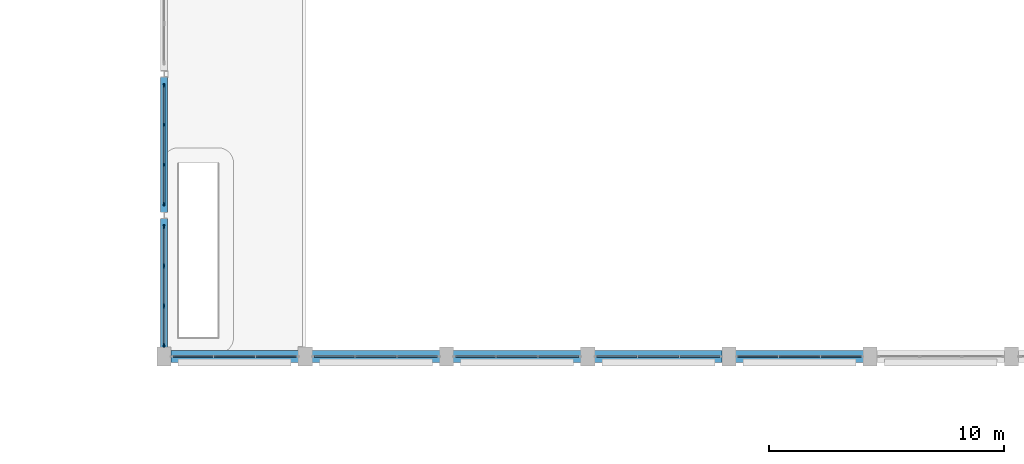
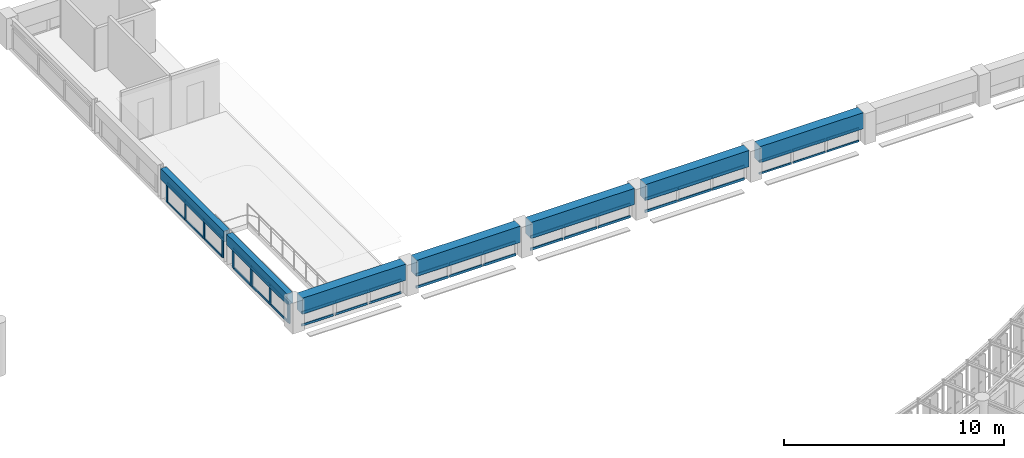
# One storey, part 34 of 137: 50 members, 7 beams, 7 elements without a shape of their own.
"""IFC4 building model written with IfcOpenShell, lengths in metres."""

from ifc_helpers import new_model, si_unit, direction, frame, origin, origin_2d, place, context, subcontext, project, spatial, rectangle, extrude, material, layer, layer_set, material_profile, profile_set, type_object, element, aggregate, save


model = new_model("IFC4")

# Units and contexts
model_context = context("Model", 3, precision=1e-05, world=origin(), true_north=direction((0.0, 1.0)))
body_context = subcontext(model_context, "Body", "Model", "MODEL_VIEW")
ifc_project = project(units=[si_unit("LENGTHUNIT", "METRE"), si_unit("AREAUNIT", "SQUARE_METRE"), si_unit("VOLUMEUNIT", "CUBIC_METRE"), si_unit("PLANEANGLEUNIT", "RADIAN"), si_unit("MASSUNIT", "GRAM", prefix="KILO"), si_unit("POWERUNIT", "WATT"), si_unit("THERMODYNAMICTEMPERATUREUNIT", "KELVIN")], contexts=[model_context])

# Site, building, storey
site_placement = place(None, origin())
site = spatial("IfcSite", under=ifc_project, at=site_placement, CompositionType="ELEMENT")
building_placement = place(site_placement, origin())
building = spatial("IfcBuilding", under=site, at=building_placement, Name="Ruvembo Vaulted Housing Court", CompositionType="ELEMENT")
storey_placement = place(building_placement, frame((0.0, 0.0, 4.5)))
storey = spatial("IfcBuildingStorey", under=building, at=storey_placement, Name="L01", CompositionType="ELEMENT", Elevation=4.5)

# Beams
ifc_material_1 = material(Name="Concrete C35/45", Category="concrete")
ifc_material_profile_1 = material_profile(ifc_material_1, rectangle(XDim=0.300048828125, YDim=0.60009765625, at=origin_2d()), Name="RC 300x600")
ifc_profile_set_1 = profile_set([ifc_material_profile_1], Name="Concrete C35/45")
beam_type_1 = type_object("IfcBeamType", Name="BM-RC-300x600", PredefinedType="BEAM", material=ifc_profile_set_1)
beam_1_placement = place(storey_placement, frame((66.0, 42.385009765625, 1.39990234375), z_axis=(0.0, 1.0, 0.0), x_axis=(-1.0, 0.0, 0.0)))
element("IfcBeam", 1, at=beam_1_placement, inside=storey, type_object=beam_type_1, Name="L01 Grid Beam Y #1358", PredefinedType="BEAM", context=body_context, shape_type="SweptSolid", body=[
    extrude(rectangle(XDim=0.300048828125, YDim=0.60009765625, at=origin_2d()), origin(), (0.0, 0.0, 1.0), 5.489990234375),
])
beam_2_placement = place(storey_placement, frame((66.0, 48.125, 1.39990234375), z_axis=(0.0, 1.0, 0.0), x_axis=(-1.0, 0.0, 0.0)))
element("IfcBeam", 2, at=beam_2_placement, inside=storey, type_object=beam_type_1, Name="L01 Grid Beam Y #1359", PredefinedType="BEAM", context=body_context, shape_type="SweptSolid", body=[
    extrude(rectangle(XDim=0.300048828125, YDim=0.60009765625, at=origin_2d()), origin(), (0.0, 0.0, 1.0), 5.75),
])

# Curtain wall, members
ifc_material_2 = material(Name="Anodised Aluminium and Solar-Control Glass", Category="aluminium")
ifc_layer_1 = layer(ifc_material_2, 0.179931640625, Name="Anodised Aluminium and Solar-Control Glass")
ifc_layer_set_1 = layer_set([ifc_layer_1], Name="Anodised Aluminium and Solar-Control Glass")
curtain_wall_type_1 = type_object("IfcCurtainWallType", Name="CW-HALL-TYMP", PredefinedType="NOTDEFINED", material=ifc_layer_set_1)
curtain_wall_1_placement = place(storey_placement, origin())
curtain_wall_1 = element("IfcCurtainWall", 3, at=curtain_wall_1_placement, inside=storey, type_object=curtain_wall_type_1, Name="L01 Curtain Wall CW-L01-0116", PredefinedType="NOTDEFINED")
ifc_material_3 = material(Name="Anodised Aluminium 6063-T6", Category="aluminium")
ifc_material_profile_2 = material_profile(ifc_material_3, rectangle(XDim=0.06005859375, YDim=0.139892578125, at=origin_2d()), Name="ALU 60x140")
ifc_profile_set_2 = profile_set([ifc_material_profile_2], Name="Anodised Aluminium 6063-T6")
member_type_1 = type_object("IfcMemberType", Name="CW-MUL-60x140", PredefinedType="MULLION", material=ifc_profile_set_2)
member_1_placement = place(storey_placement, frame((66.0, 48.47998046875, 0.0), z_axis=(0.0, 0.0, 1.0), x_axis=(-1.0, 0.0, 0.0)))
member_1 = element("IfcMember", 4, at=member_1_placement, type_object=member_type_1, Name="CW2 mullion 1", PredefinedType="MULLION", context=body_context, shape_type="SweptSolid", body=[
    extrude(rectangle(XDim=0.06005859375, YDim=0.139892578125, at=origin_2d()), origin(), (0.0, 0.0, 1.0), 1.10009765625),
])
member_2_placement = place(storey_placement, frame((66.0, 50.14990234375, 0.0), z_axis=(0.0, 0.0, 1.0), x_axis=(-1.0, 0.0, 0.0)))
member_2 = element("IfcMember", 5, at=member_2_placement, type_object=member_type_1, Name="CW2 mullion 2", PredefinedType="MULLION", context=body_context, shape_type="SweptSolid", body=[
    extrude(rectangle(XDim=0.06005859375, YDim=0.139892578125, at=origin_2d()), origin(), (0.0, 0.0, 1.0), 1.10009765625),
])
member_3_placement = place(storey_placement, frame((66.0, 51.85009765625, 0.0), z_axis=(0.0, 0.0, 1.0), x_axis=(-1.0, 0.0, 0.0)))
member_3 = element("IfcMember", 6, at=member_3_placement, type_object=member_type_1, Name="CW2 mullion 3", PredefinedType="MULLION", context=body_context, shape_type="SweptSolid", body=[
    extrude(rectangle(XDim=0.06005859375, YDim=0.139892578125, at=origin_2d()), origin(), (0.0, 0.0, 1.0), 1.10009765625),
])
member_4_placement = place(storey_placement, frame((66.0, 53.52001953125, 0.0), z_axis=(0.0, 0.0, 1.0), x_axis=(-1.0, 0.0, 0.0)))
member_4 = element("IfcMember", 7, at=member_4_placement, type_object=member_type_1, Name="CW2 mullion 4", PredefinedType="MULLION", context=body_context, shape_type="SweptSolid", body=[
    extrude(rectangle(XDim=0.06005859375, YDim=0.139892578125, at=origin_2d()), origin(), (0.0, 0.0, 1.0), 1.10009765625),
])

curtain_wall_2_placement = place(storey_placement, origin())
curtain_wall_2 = element("IfcCurtainWall", 8, at=curtain_wall_2_placement, inside=storey, type_object=curtain_wall_type_1, Name="L01 Curtain Wall CW-L01-0114", PredefinedType="NOTDEFINED")
ifc_material_profile_3 = material_profile(ifc_material_3, rectangle(XDim=0.06494140625, YDim=0.179931640625, at=origin_2d()), Name="ALU 65x180")
ifc_profile_set_3 = profile_set([ifc_material_profile_3], Name="Anodised Aluminium 6063-T6")
member_type_2 = type_object("IfcMemberType", Name="CW-MUL-65x180", PredefinedType="MULLION", material=ifc_profile_set_3)
member_5_placement = place(storey_placement, frame((66.0, 42.482421875, 0.0), z_axis=(0.0, 0.0, 1.0), x_axis=(-1.0, 0.0, 0.0)))
member_5 = element("IfcMember", 9, at=member_5_placement, type_object=member_type_2, Name="CW2 mullion 1", PredefinedType="MULLION", context=body_context, shape_type="SweptSolid", body=[
    extrude(rectangle(XDim=0.06494140625, YDim=0.179931640625, at=origin_2d()), origin(), (0.0, 0.0, 1.0), 1.10009765625),
])
member_6_placement = place(storey_placement, frame((66.0, 44.14990234375, 0.0), z_axis=(0.0, 0.0, 1.0), x_axis=(-1.0, 0.0, 0.0)))
member_6 = element("IfcMember", 10, at=member_6_placement, type_object=member_type_2, Name="CW2 mullion 2", PredefinedType="MULLION", context=body_context, shape_type="SweptSolid", body=[
    extrude(rectangle(XDim=0.06494140625, YDim=0.179931640625, at=origin_2d()), origin(), (0.0, 0.0, 1.0), 1.10009765625),
])
member_7_placement = place(storey_placement, frame((66.0, 45.85009765625, 0.0), z_axis=(0.0, 0.0, 1.0), x_axis=(-1.0, 0.0, 0.0)))
member_7 = element("IfcMember", 11, at=member_7_placement, type_object=member_type_2, Name="CW2 mullion 3", PredefinedType="MULLION", context=body_context, shape_type="SweptSolid", body=[
    extrude(rectangle(XDim=0.06494140625, YDim=0.179931640625, at=origin_2d()), origin(), (0.0, 0.0, 1.0), 1.10009765625),
])
member_8_placement = place(storey_placement, frame((66.0, 47.517578125, 0.0), z_axis=(0.0, 0.0, 1.0), x_axis=(-1.0, 0.0, 0.0)))
member_8 = element("IfcMember", 12, at=member_8_placement, type_object=member_type_2, Name="CW2 mullion 4", PredefinedType="MULLION", context=body_context, shape_type="SweptSolid", body=[
    extrude(rectangle(XDim=0.06494140625, YDim=0.179931640625, at=origin_2d()), origin(), (0.0, 0.0, 1.0), 1.10009765625),
])

ifc_layer_2 = layer(ifc_material_2, 0.139892578125, Name="Anodised Aluminium and Solar-Control Glass")
ifc_layer_set_2 = layer_set([ifc_layer_2], Name="Anodised Aluminium and Solar-Control Glass")
curtain_wall_type_2 = type_object("IfcCurtainWallType", Name="CW-HALL-CLER", PredefinedType="NOTDEFINED", material=ifc_layer_set_2)
curtain_wall_3_placement = place(storey_placement, origin())
curtain_wall_3 = element("IfcCurtainWall", 13, at=curtain_wall_3_placement, inside=storey, type_object=curtain_wall_type_2, Name="L01 Curtain Wall CW-L01-0090", PredefinedType="NOTDEFINED")
ifc_material_profile_4 = material_profile(ifc_material_3, rectangle(XDim=0.06005859375, YDim=0.1201171875, at=origin_2d()), Name="ALU 60x120")
ifc_profile_set_4 = profile_set([ifc_material_profile_4], Name="Anodised Aluminium 6063-T6")
member_type_3 = type_object("IfcMemberType", Name="CW-TRANSOM-65x120", PredefinedType="USERDEFINED", material=ifc_profile_set_4)
member_9_placement = place(storey_placement, frame((66.389892578125, 42.0, 0.030029296875), z_axis=(1.0, 0.0, 0.0), x_axis=(0.0, 1.0, 0.0)))
member_9 = element("IfcMember", 14, at=member_9_placement, type_object=member_type_3, Name="CW7 transom 1.1", ObjectType="TRANSOM", PredefinedType="USERDEFINED", context=body_context, shape_type="SweptSolid", body=[
    extrude(rectangle(XDim=0.06005859375, YDim=0.1201171875, at=origin_2d()), origin(), (0.0, 0.0, 1.0), 1.68603515625),
])
member_10_placement = place(storey_placement, frame((66.389892578125, 42.0, 0.719970703125), z_axis=(1.0, 0.0, 0.0), x_axis=(0.0, 1.0, 0.0)))
member_10 = element("IfcMember", 15, at=member_10_placement, type_object=member_type_3, Name="CW7 transom 1.2", ObjectType="TRANSOM", PredefinedType="USERDEFINED", context=body_context, shape_type="SweptSolid", body=[
    extrude(rectangle(XDim=0.06005859375, YDim=0.1201171875, at=origin_2d()), origin(), (0.0, 0.0, 1.0), 1.68603515625),
])
member_11_placement = place(storey_placement, frame((68.140869140625, 42.0, 0.030029296875), z_axis=(1.0, 0.0, 0.0), x_axis=(0.0, 1.0, 0.0)))
member_11 = element("IfcMember", 16, at=member_11_placement, type_object=member_type_3, Name="CW7 transom 2.1", ObjectType="TRANSOM", PredefinedType="USERDEFINED", context=body_context, shape_type="SweptSolid", body=[
    extrude(rectangle(XDim=0.06005859375, YDim=0.1201171875, at=origin_2d()), origin(), (0.0, 0.0, 1.0), 1.71826171875),
])
member_12_placement = place(storey_placement, frame((68.140869140625, 42.0, 0.719970703125), z_axis=(1.0, 0.0, 0.0), x_axis=(0.0, 1.0, 0.0)))
member_12 = element("IfcMember", 17, at=member_12_placement, type_object=member_type_3, Name="CW7 transom 2.2", ObjectType="TRANSOM", PredefinedType="USERDEFINED", context=body_context, shape_type="SweptSolid", body=[
    extrude(rectangle(XDim=0.06005859375, YDim=0.1201171875, at=origin_2d()), origin(), (0.0, 0.0, 1.0), 1.71826171875),
])
member_13_placement = place(storey_placement, frame((69.924072265625, 42.0, 0.030029296875), z_axis=(1.0, 0.0, 0.0), x_axis=(0.0, 1.0, 0.0)))
member_13 = element("IfcMember", 18, at=member_13_placement, type_object=member_type_3, Name="CW7 transom 3.1", ObjectType="TRANSOM", PredefinedType="USERDEFINED", context=body_context, shape_type="SweptSolid", body=[
    extrude(rectangle(XDim=0.06005859375, YDim=0.1201171875, at=origin_2d()), origin(), (0.0, 0.0, 1.0), 1.68603515625),
])
member_14_placement = place(storey_placement, frame((69.924072265625, 42.0, 0.719970703125), z_axis=(1.0, 0.0, 0.0), x_axis=(0.0, 1.0, 0.0)))
member_14 = element("IfcMember", 19, at=member_14_placement, type_object=member_type_3, Name="CW7 transom 3.2", ObjectType="TRANSOM", PredefinedType="USERDEFINED", context=body_context, shape_type="SweptSolid", body=[
    extrude(rectangle(XDim=0.06005859375, YDim=0.1201171875, at=origin_2d()), origin(), (0.0, 0.0, 1.0), 1.68603515625),
])
aggregate(curtain_wall_3, [member_9, member_10, member_11, member_12, member_13, member_14])

# Member
member_15_placement = place(storey_placement, frame((66.0, 42.514892578125, 0.030029296875), z_axis=(0.0, 1.0, 0.0), x_axis=(-1.0, 0.0, 0.0)))
member_15 = element("IfcMember", 20, at=member_15_placement, type_object=member_type_3, Name="CW2 transom 1.1", ObjectType="TRANSOM", PredefinedType="USERDEFINED", context=body_context, shape_type="SweptSolid", body=[
    extrude(rectangle(XDim=0.06005859375, YDim=0.1201171875, at=origin_2d()), origin(), (0.0, 0.0, 1.0), 1.6025390625),
])

member_16_placement = place(storey_placement, frame((66.0, 42.514892578125, 1.070068359375), z_axis=(0.0, 1.0, 0.0), x_axis=(-1.0, 0.0, 0.0)))
member_16 = element("IfcMember", 21, at=member_16_placement, type_object=member_type_3, Name="CW2 transom 1.2", ObjectType="TRANSOM", PredefinedType="USERDEFINED", context=body_context, shape_type="SweptSolid", body=[
    extrude(rectangle(XDim=0.06005859375, YDim=0.1201171875, at=origin_2d()), origin(), (0.0, 0.0, 1.0), 1.6025390625),
])

member_17_placement = place(storey_placement, frame((66.0, 44.1826171875, 0.030029296875), z_axis=(0.0, 1.0, 0.0), x_axis=(-1.0, 0.0, 0.0)))
member_17 = element("IfcMember", 22, at=member_17_placement, type_object=member_type_3, Name="CW2 transom 2.1", ObjectType="TRANSOM", PredefinedType="USERDEFINED", context=body_context, shape_type="SweptSolid", body=[
    extrude(rectangle(XDim=0.06005859375, YDim=0.1201171875, at=origin_2d()), origin(), (0.0, 0.0, 1.0), 1.634765625),
])

member_18_placement = place(storey_placement, frame((66.0, 44.1826171875, 1.070068359375), z_axis=(0.0, 1.0, 0.0), x_axis=(-1.0, 0.0, 0.0)))
member_18 = element("IfcMember", 23, at=member_18_placement, type_object=member_type_3, Name="CW2 transom 2.2", ObjectType="TRANSOM", PredefinedType="USERDEFINED", context=body_context, shape_type="SweptSolid", body=[
    extrude(rectangle(XDim=0.06005859375, YDim=0.1201171875, at=origin_2d()), origin(), (0.0, 0.0, 1.0), 1.634765625),
])

member_19_placement = place(storey_placement, frame((66.0, 45.882568359375, 0.030029296875), z_axis=(0.0, 1.0, 0.0), x_axis=(-1.0, 0.0, 0.0)))
member_19 = element("IfcMember", 24, at=member_19_placement, type_object=member_type_3, Name="CW2 transom 3.1", ObjectType="TRANSOM", PredefinedType="USERDEFINED", context=body_context, shape_type="SweptSolid", body=[
    extrude(rectangle(XDim=0.06005859375, YDim=0.1201171875, at=origin_2d()), origin(), (0.0, 0.0, 1.0), 1.6025390625),
])

member_20_placement = place(storey_placement, frame((66.0, 45.882568359375, 1.070068359375), z_axis=(0.0, 1.0, 0.0), x_axis=(-1.0, 0.0, 0.0)))
member_20 = element("IfcMember", 25, at=member_20_placement, type_object=member_type_3, Name="CW2 transom 3.2", ObjectType="TRANSOM", PredefinedType="USERDEFINED", context=body_context, shape_type="SweptSolid", body=[
    extrude(rectangle(XDim=0.06005859375, YDim=0.1201171875, at=origin_2d()), origin(), (0.0, 0.0, 1.0), 1.6025390625),
])

aggregate(curtain_wall_2, [member_5, member_6, member_7, member_8, member_15, member_16, member_17, member_18, member_19, member_20])

# Curtain wall, members
curtain_wall_4_placement = place(storey_placement, origin())
curtain_wall_4 = element("IfcCurtainWall", 26, at=curtain_wall_4_placement, inside=storey, type_object=curtain_wall_type_2, Name="L01 Curtain Wall CW-L01-0104", PredefinedType="NOTDEFINED")
ifc_material_profile_5 = material_profile(ifc_material_3, rectangle(XDim=0.06005859375, YDim=0.10009765625, at=origin_2d()), Name="ALU 60x100")
ifc_profile_set_5 = profile_set([ifc_material_profile_5], Name="Anodised Aluminium 6063-T6")
member_type_4 = type_object("IfcMemberType", Name="CW-TRN-60x100", PredefinedType="USERDEFINED", material=ifc_profile_set_5)
member_21_placement = place(storey_placement, frame((90.385009765625, 42.0, 0.030029296875), z_axis=(1.0, 0.0, 0.0), x_axis=(0.0, 1.0, 0.0)))
member_21 = element("IfcMember", 27, at=member_21_placement, type_object=member_type_4, Name="CW7 transom 1.1", ObjectType="TRANSOM", PredefinedType="USERDEFINED", context=body_context, shape_type="SweptSolid", body=[
    extrude(rectangle(XDim=0.06005859375, YDim=0.10009765625, at=origin_2d()), origin(), (0.0, 0.0, 1.0), 1.693359375),
])
member_22_placement = place(storey_placement, frame((90.385009765625, 42.0, 0.719970703125), z_axis=(1.0, 0.0, 0.0), x_axis=(0.0, 1.0, 0.0)))
member_22 = element("IfcMember", 28, at=member_22_placement, type_object=member_type_4, Name="CW7 transom 1.2", ObjectType="TRANSOM", PredefinedType="USERDEFINED", context=body_context, shape_type="SweptSolid", body=[
    extrude(rectangle(XDim=0.06005859375, YDim=0.10009765625, at=origin_2d()), origin(), (0.0, 0.0, 1.0), 1.693359375),
])
member_23_placement = place(storey_placement, frame((92.138427734375, 42.0, 0.030029296875), z_axis=(1.0, 0.0, 0.0), x_axis=(0.0, 1.0, 0.0)))
member_23 = element("IfcMember", 29, at=member_23_placement, type_object=member_type_4, Name="CW7 transom 2.1", ObjectType="TRANSOM", PredefinedType="USERDEFINED", context=body_context, shape_type="SweptSolid", body=[
    extrude(rectangle(XDim=0.06005859375, YDim=0.10009765625, at=origin_2d()), origin(), (0.0, 0.0, 1.0), 1.72314453125),
])
member_24_placement = place(storey_placement, frame((92.138427734375, 42.0, 0.719970703125), z_axis=(1.0, 0.0, 0.0), x_axis=(0.0, 1.0, 0.0)))
member_24 = element("IfcMember", 30, at=member_24_placement, type_object=member_type_4, Name="CW7 transom 2.2", ObjectType="TRANSOM", PredefinedType="USERDEFINED", context=body_context, shape_type="SweptSolid", body=[
    extrude(rectangle(XDim=0.06005859375, YDim=0.10009765625, at=origin_2d()), origin(), (0.0, 0.0, 1.0), 1.72314453125),
])
member_25_placement = place(storey_placement, frame((93.921630859375, 42.0, 0.030029296875), z_axis=(1.0, 0.0, 0.0), x_axis=(0.0, 1.0, 0.0)))
member_25 = element("IfcMember", 31, at=member_25_placement, type_object=member_type_4, Name="CW7 transom 3.1", ObjectType="TRANSOM", PredefinedType="USERDEFINED", context=body_context, shape_type="SweptSolid", body=[
    extrude(rectangle(XDim=0.06005859375, YDim=0.10009765625, at=origin_2d()), origin(), (0.0, 0.0, 1.0), 1.693359375),
])
member_26_placement = place(storey_placement, frame((93.921630859375, 42.0, 0.719970703125), z_axis=(1.0, 0.0, 0.0), x_axis=(0.0, 1.0, 0.0)))
member_26 = element("IfcMember", 32, at=member_26_placement, type_object=member_type_4, Name="CW7 transom 3.2", ObjectType="TRANSOM", PredefinedType="USERDEFINED", context=body_context, shape_type="SweptSolid", body=[
    extrude(rectangle(XDim=0.06005859375, YDim=0.10009765625, at=origin_2d()), origin(), (0.0, 0.0, 1.0), 1.693359375),
])
aggregate(curtain_wall_4, [member_21, member_22, member_23, member_24, member_25, member_26])

# Member
member_27_placement = place(storey_placement, frame((66.0, 48.510009765625, 0.030029296875), z_axis=(0.0, 1.0, 0.0), x_axis=(-1.0, 0.0, 0.0)))
member_27 = element("IfcMember", 33, at=member_27_placement, type_object=member_type_4, Name="CW2 transom 1.1", ObjectType="TRANSOM", PredefinedType="USERDEFINED", context=body_context, shape_type="SweptSolid", body=[
    extrude(rectangle(XDim=0.06005859375, YDim=0.10009765625, at=origin_2d()), origin(), (0.0, 0.0, 1.0), 1.610107421875),
])

member_28_placement = place(storey_placement, frame((66.0, 48.510009765625, 1.070068359375), z_axis=(0.0, 1.0, 0.0), x_axis=(-1.0, 0.0, 0.0)))
member_28 = element("IfcMember", 34, at=member_28_placement, type_object=member_type_4, Name="CW2 transom 1.2", ObjectType="TRANSOM", PredefinedType="USERDEFINED", context=body_context, shape_type="SweptSolid", body=[
    extrude(rectangle(XDim=0.06005859375, YDim=0.10009765625, at=origin_2d()), origin(), (0.0, 0.0, 1.0), 1.610107421875),
])

member_29_placement = place(storey_placement, frame((66.0, 50.179931640625, 0.030029296875), z_axis=(0.0, 1.0, 0.0), x_axis=(-1.0, 0.0, 0.0)))
member_29 = element("IfcMember", 35, at=member_29_placement, type_object=member_type_4, Name="CW2 transom 2.1", ObjectType="TRANSOM", PredefinedType="USERDEFINED", context=body_context, shape_type="SweptSolid", body=[
    extrude(rectangle(XDim=0.06005859375, YDim=0.10009765625, at=origin_2d()), origin(), (0.0, 0.0, 1.0), 1.64013671875),
])

member_30_placement = place(storey_placement, frame((66.0, 50.179931640625, 1.070068359375), z_axis=(0.0, 1.0, 0.0), x_axis=(-1.0, 0.0, 0.0)))
member_30 = element("IfcMember", 36, at=member_30_placement, type_object=member_type_4, Name="CW2 transom 2.2", ObjectType="TRANSOM", PredefinedType="USERDEFINED", context=body_context, shape_type="SweptSolid", body=[
    extrude(rectangle(XDim=0.06005859375, YDim=0.10009765625, at=origin_2d()), origin(), (0.0, 0.0, 1.0), 1.64013671875),
])

member_31_placement = place(storey_placement, frame((66.0, 51.8798828125, 0.030029296875), z_axis=(0.0, 1.0, 0.0), x_axis=(-1.0, 0.0, 0.0)))
member_31 = element("IfcMember", 37, at=member_31_placement, type_object=member_type_4, Name="CW2 transom 3.1", ObjectType="TRANSOM", PredefinedType="USERDEFINED", context=body_context, shape_type="SweptSolid", body=[
    extrude(rectangle(XDim=0.06005859375, YDim=0.10009765625, at=origin_2d()), origin(), (0.0, 0.0, 1.0), 1.610107421875),
])

member_32_placement = place(storey_placement, frame((66.0, 51.8798828125, 1.070068359375), z_axis=(0.0, 1.0, 0.0), x_axis=(-1.0, 0.0, 0.0)))
member_32 = element("IfcMember", 38, at=member_32_placement, type_object=member_type_4, Name="CW2 transom 3.2", ObjectType="TRANSOM", PredefinedType="USERDEFINED", context=body_context, shape_type="SweptSolid", body=[
    extrude(rectangle(XDim=0.06005859375, YDim=0.10009765625, at=origin_2d()), origin(), (0.0, 0.0, 1.0), 1.610107421875),
])

aggregate(curtain_wall_1, [member_1, member_2, member_3, member_4, member_27, member_28, member_29, member_30, member_31, member_32])

# Curtain wall, members
curtain_wall_5_placement = place(storey_placement, origin())
curtain_wall_5 = element("IfcCurtainWall", 39, at=curtain_wall_5_placement, inside=storey, type_object=curtain_wall_type_2, Name="L01 Curtain Wall CW-L01-0094", PredefinedType="NOTDEFINED")
ifc_material_profile_6 = material_profile(ifc_material_3, rectangle(XDim=0.06494140625, YDim=0.135009765625, at=origin_2d()), Name="ALU 65x135")
ifc_profile_set_6 = profile_set([ifc_material_profile_6], Name="Anodised Aluminium 6063-T6")
member_type_5 = type_object("IfcMemberType", Name="CW-TRN-65x135", PredefinedType="USERDEFINED", material=ifc_profile_set_6)
member_33_placement = place(storey_placement, frame((72.389892578125, 42.0, 0.032470703125), z_axis=(1.0, 0.0, 0.0), x_axis=(0.0, 1.0, 0.0)))
member_33 = element("IfcMember", 40, at=member_33_placement, type_object=member_type_5, Name="CW7 transom 1.1", ObjectType="TRANSOM", PredefinedType="USERDEFINED", context=body_context, shape_type="SweptSolid", body=[
    extrude(rectangle(XDim=0.06494140625, YDim=0.135009765625, at=origin_2d()), origin(), (0.0, 0.0, 1.0), 1.68603515625),
])
member_34_placement = place(storey_placement, frame((72.389892578125, 42.0, 0.717529296875), z_axis=(1.0, 0.0, 0.0), x_axis=(0.0, 1.0, 0.0)))
member_34 = element("IfcMember", 41, at=member_34_placement, type_object=member_type_5, Name="CW7 transom 1.2", ObjectType="TRANSOM", PredefinedType="USERDEFINED", context=body_context, shape_type="SweptSolid", body=[
    extrude(rectangle(XDim=0.06494140625, YDim=0.135009765625, at=origin_2d()), origin(), (0.0, 0.0, 1.0), 1.68603515625),
])
member_35_placement = place(storey_placement, frame((74.140869140625, 42.0, 0.032470703125), z_axis=(1.0, 0.0, 0.0), x_axis=(0.0, 1.0, 0.0)))
member_35 = element("IfcMember", 42, at=member_35_placement, type_object=member_type_5, Name="CW7 transom 2.1", ObjectType="TRANSOM", PredefinedType="USERDEFINED", context=body_context, shape_type="SweptSolid", body=[
    extrude(rectangle(XDim=0.06494140625, YDim=0.135009765625, at=origin_2d()), origin(), (0.0, 0.0, 1.0), 1.71826171875),
])
member_36_placement = place(storey_placement, frame((74.140869140625, 42.0, 0.717529296875), z_axis=(1.0, 0.0, 0.0), x_axis=(0.0, 1.0, 0.0)))
member_36 = element("IfcMember", 43, at=member_36_placement, type_object=member_type_5, Name="CW7 transom 2.2", ObjectType="TRANSOM", PredefinedType="USERDEFINED", context=body_context, shape_type="SweptSolid", body=[
    extrude(rectangle(XDim=0.06494140625, YDim=0.135009765625, at=origin_2d()), origin(), (0.0, 0.0, 1.0), 1.71826171875),
])
member_37_placement = place(storey_placement, frame((75.924072265625, 42.0, 0.032470703125), z_axis=(1.0, 0.0, 0.0), x_axis=(0.0, 1.0, 0.0)))
member_37 = element("IfcMember", 44, at=member_37_placement, type_object=member_type_5, Name="CW7 transom 3.1", ObjectType="TRANSOM", PredefinedType="USERDEFINED", context=body_context, shape_type="SweptSolid", body=[
    extrude(rectangle(XDim=0.06494140625, YDim=0.135009765625, at=origin_2d()), origin(), (0.0, 0.0, 1.0), 1.68603515625),
])
member_38_placement = place(storey_placement, frame((75.924072265625, 42.0, 0.717529296875), z_axis=(1.0, 0.0, 0.0), x_axis=(0.0, 1.0, 0.0)))
member_38 = element("IfcMember", 45, at=member_38_placement, type_object=member_type_5, Name="CW7 transom 3.2", ObjectType="TRANSOM", PredefinedType="USERDEFINED", context=body_context, shape_type="SweptSolid", body=[
    extrude(rectangle(XDim=0.06494140625, YDim=0.135009765625, at=origin_2d()), origin(), (0.0, 0.0, 1.0), 1.68603515625),
])
aggregate(curtain_wall_5, [member_33, member_34, member_35, member_36, member_37, member_38])

curtain_wall_6_placement = place(storey_placement, origin())
curtain_wall_6 = element("IfcCurtainWall", 46, at=curtain_wall_6_placement, inside=storey, type_object=curtain_wall_type_2, Name="L01 Curtain Wall CW-L01-0097", PredefinedType="NOTDEFINED")
member_39_placement = place(storey_placement, frame((78.385009765625, 42.0, 0.032470703125), z_axis=(1.0, 0.0, 0.0), x_axis=(0.0, 1.0, 0.0)))
member_39 = element("IfcMember", 47, at=member_39_placement, type_object=member_type_5, Name="CW7 transom 1.1", ObjectType="TRANSOM", PredefinedType="USERDEFINED", context=body_context, shape_type="SweptSolid", body=[
    extrude(rectangle(XDim=0.06494140625, YDim=0.135009765625, at=origin_2d()), origin(), (0.0, 0.0, 1.0), 1.693359375),
])
member_40_placement = place(storey_placement, frame((78.385009765625, 42.0, 0.717529296875), z_axis=(1.0, 0.0, 0.0), x_axis=(0.0, 1.0, 0.0)))
member_40 = element("IfcMember", 48, at=member_40_placement, type_object=member_type_5, Name="CW7 transom 1.2", ObjectType="TRANSOM", PredefinedType="USERDEFINED", context=body_context, shape_type="SweptSolid", body=[
    extrude(rectangle(XDim=0.06494140625, YDim=0.135009765625, at=origin_2d()), origin(), (0.0, 0.0, 1.0), 1.693359375),
])
member_41_placement = place(storey_placement, frame((80.138427734375, 42.0, 0.032470703125), z_axis=(1.0, 0.0, 0.0), x_axis=(0.0, 1.0, 0.0)))
member_41 = element("IfcMember", 49, at=member_41_placement, type_object=member_type_5, Name="CW7 transom 2.1", ObjectType="TRANSOM", PredefinedType="USERDEFINED", context=body_context, shape_type="SweptSolid", body=[
    extrude(rectangle(XDim=0.06494140625, YDim=0.135009765625, at=origin_2d()), origin(), (0.0, 0.0, 1.0), 1.72314453125),
])
member_42_placement = place(storey_placement, frame((80.138427734375, 42.0, 0.717529296875), z_axis=(1.0, 0.0, 0.0), x_axis=(0.0, 1.0, 0.0)))
member_42 = element("IfcMember", 50, at=member_42_placement, type_object=member_type_5, Name="CW7 transom 2.2", ObjectType="TRANSOM", PredefinedType="USERDEFINED", context=body_context, shape_type="SweptSolid", body=[
    extrude(rectangle(XDim=0.06494140625, YDim=0.135009765625, at=origin_2d()), origin(), (0.0, 0.0, 1.0), 1.72314453125),
])
member_43_placement = place(storey_placement, frame((81.921630859375, 42.0, 0.032470703125), z_axis=(1.0, 0.0, 0.0), x_axis=(0.0, 1.0, 0.0)))
member_43 = element("IfcMember", 51, at=member_43_placement, type_object=member_type_5, Name="CW7 transom 3.1", ObjectType="TRANSOM", PredefinedType="USERDEFINED", context=body_context, shape_type="SweptSolid", body=[
    extrude(rectangle(XDim=0.06494140625, YDim=0.135009765625, at=origin_2d()), origin(), (0.0, 0.0, 1.0), 1.693359375),
])
member_44_placement = place(storey_placement, frame((81.921630859375, 42.0, 0.717529296875), z_axis=(1.0, 0.0, 0.0), x_axis=(0.0, 1.0, 0.0)))
member_44 = element("IfcMember", 52, at=member_44_placement, type_object=member_type_5, Name="CW7 transom 3.2", ObjectType="TRANSOM", PredefinedType="USERDEFINED", context=body_context, shape_type="SweptSolid", body=[
    extrude(rectangle(XDim=0.06494140625, YDim=0.135009765625, at=origin_2d()), origin(), (0.0, 0.0, 1.0), 1.693359375),
])
aggregate(curtain_wall_6, [member_39, member_40, member_41, member_42, member_43, member_44])

curtain_wall_7_placement = place(storey_placement, origin())
curtain_wall_7 = element("IfcCurtainWall", 53, at=curtain_wall_7_placement, inside=storey, type_object=curtain_wall_type_2, Name="L01 Curtain Wall CW-L01-0100", PredefinedType="NOTDEFINED")
member_45_placement = place(storey_placement, frame((84.385009765625, 42.0, 0.032470703125), z_axis=(1.0, 0.0, 0.0), x_axis=(0.0, 1.0, 0.0)))
member_45 = element("IfcMember", 54, at=member_45_placement, type_object=member_type_5, Name="CW7 transom 1.1", ObjectType="TRANSOM", PredefinedType="USERDEFINED", context=body_context, shape_type="SweptSolid", body=[
    extrude(rectangle(XDim=0.06494140625, YDim=0.135009765625, at=origin_2d()), origin(), (0.0, 0.0, 1.0), 1.693359375),
])
member_46_placement = place(storey_placement, frame((84.385009765625, 42.0, 0.717529296875), z_axis=(1.0, 0.0, 0.0), x_axis=(0.0, 1.0, 0.0)))
member_46 = element("IfcMember", 55, at=member_46_placement, type_object=member_type_5, Name="CW7 transom 1.2", ObjectType="TRANSOM", PredefinedType="USERDEFINED", context=body_context, shape_type="SweptSolid", body=[
    extrude(rectangle(XDim=0.06494140625, YDim=0.135009765625, at=origin_2d()), origin(), (0.0, 0.0, 1.0), 1.693359375),
])
member_47_placement = place(storey_placement, frame((86.138427734375, 42.0, 0.032470703125), z_axis=(1.0, 0.0, 0.0), x_axis=(0.0, 1.0, 0.0)))
member_47 = element("IfcMember", 56, at=member_47_placement, type_object=member_type_5, Name="CW7 transom 2.1", ObjectType="TRANSOM", PredefinedType="USERDEFINED", context=body_context, shape_type="SweptSolid", body=[
    extrude(rectangle(XDim=0.06494140625, YDim=0.135009765625, at=origin_2d()), origin(), (0.0, 0.0, 1.0), 1.72314453125),
])
member_48_placement = place(storey_placement, frame((86.138427734375, 42.0, 0.717529296875), z_axis=(1.0, 0.0, 0.0), x_axis=(0.0, 1.0, 0.0)))
member_48 = element("IfcMember", 57, at=member_48_placement, type_object=member_type_5, Name="CW7 transom 2.2", ObjectType="TRANSOM", PredefinedType="USERDEFINED", context=body_context, shape_type="SweptSolid", body=[
    extrude(rectangle(XDim=0.06494140625, YDim=0.135009765625, at=origin_2d()), origin(), (0.0, 0.0, 1.0), 1.72314453125),
])
member_49_placement = place(storey_placement, frame((87.921630859375, 42.0, 0.032470703125), z_axis=(1.0, 0.0, 0.0), x_axis=(0.0, 1.0, 0.0)))
member_49 = element("IfcMember", 58, at=member_49_placement, type_object=member_type_5, Name="CW7 transom 3.1", ObjectType="TRANSOM", PredefinedType="USERDEFINED", context=body_context, shape_type="SweptSolid", body=[
    extrude(rectangle(XDim=0.06494140625, YDim=0.135009765625, at=origin_2d()), origin(), (0.0, 0.0, 1.0), 1.693359375),
])
member_50_placement = place(storey_placement, frame((87.921630859375, 42.0, 0.717529296875), z_axis=(1.0, 0.0, 0.0), x_axis=(0.0, 1.0, 0.0)))
member_50 = element("IfcMember", 59, at=member_50_placement, type_object=member_type_5, Name="CW7 transom 3.2", ObjectType="TRANSOM", PredefinedType="USERDEFINED", context=body_context, shape_type="SweptSolid", body=[
    extrude(rectangle(XDim=0.06494140625, YDim=0.135009765625, at=origin_2d()), origin(), (0.0, 0.0, 1.0), 1.693359375),
])
aggregate(curtain_wall_7, [member_45, member_46, member_47, member_48, member_49, member_50])

# Beams
ifc_material_profile_7 = material_profile(ifc_material_1, rectangle(XDim=0.5, YDim=0.89990234375, at=origin_2d()), Name="RC 500x900")
ifc_profile_set_7 = profile_set([ifc_material_profile_7], Name="Concrete C35/45")
beam_type_2 = type_object("IfcBeamType", Name="SP-RC-500x900", PredefinedType="SPANDREL", material=ifc_profile_set_7)
for number, where, z_axis, x_axis, name in (
    (60, (66.284912109375, 42.0, 1.25), (1.0, 0.0, 0.0), (0.0, 1.0, 0.0), "L01 Grid Beam X #1214"),
    (61, (72.284912109375, 42.0, 1.25), (1.0, 0.0, 0.0), (0.0, 1.0, 0.0), "L01 Grid Beam X #1215"),
    (62, (78.284912109375, 42.0, 1.25), (1.0, 0.0, 0.0), (0.0, 1.0, 0.0), "L01 Grid Beam X #1216"),
    (63, (84.284912109375, 42.0, 1.25), (1.0, 0.0, 0.0), (0.0, 1.0, 0.0), "L01 Grid Beam X #1217"),
    (64, (90.284912109375, 42.0, 1.25), (1.0, 0.0, 0.0), (0.0, 1.0, 0.0), "L01 Grid Beam X #1218"),
):
    element("IfcBeam", number, at=place(storey_placement, frame(where, z_axis=z_axis, x_axis=x_axis)), inside=storey, type_object=beam_type_2, Name=name, PredefinedType="SPANDREL", context=body_context, shape_type="SweptSolid", body=[
        extrude(rectangle(XDim=0.5, YDim=0.89990234375, at=origin_2d()), origin(), (0.0, 0.0, 1.0), 5.43017578125),
    ])

save(model, "model.ifc")
